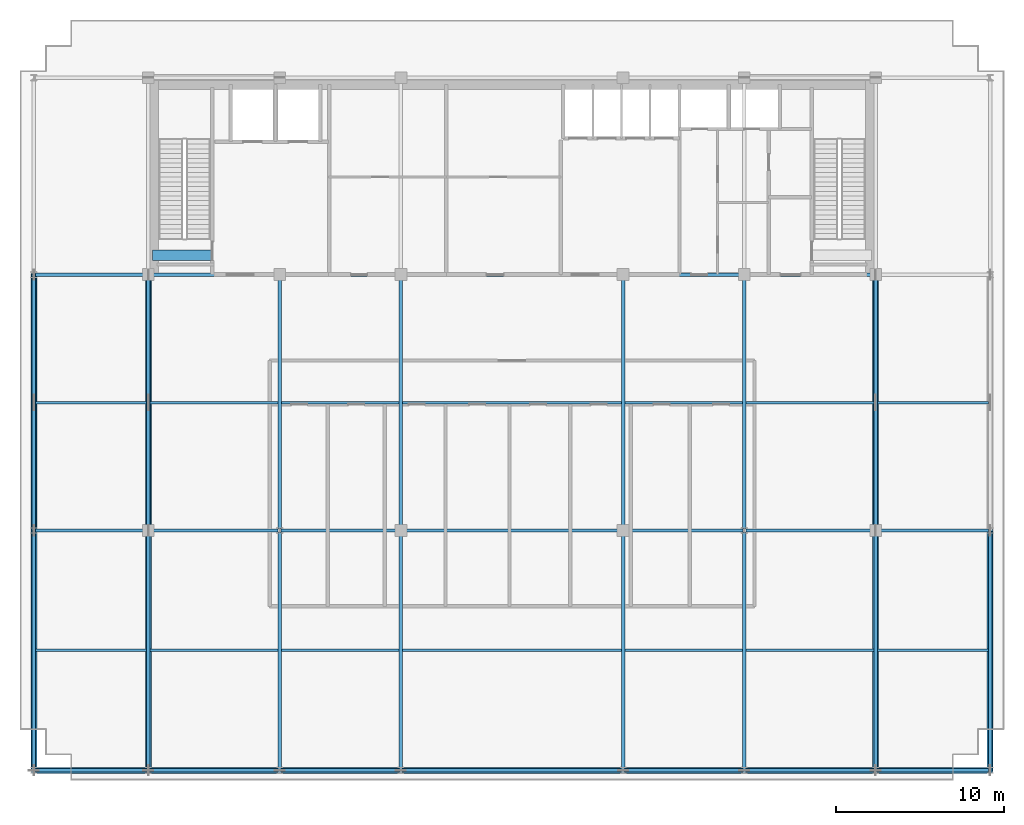
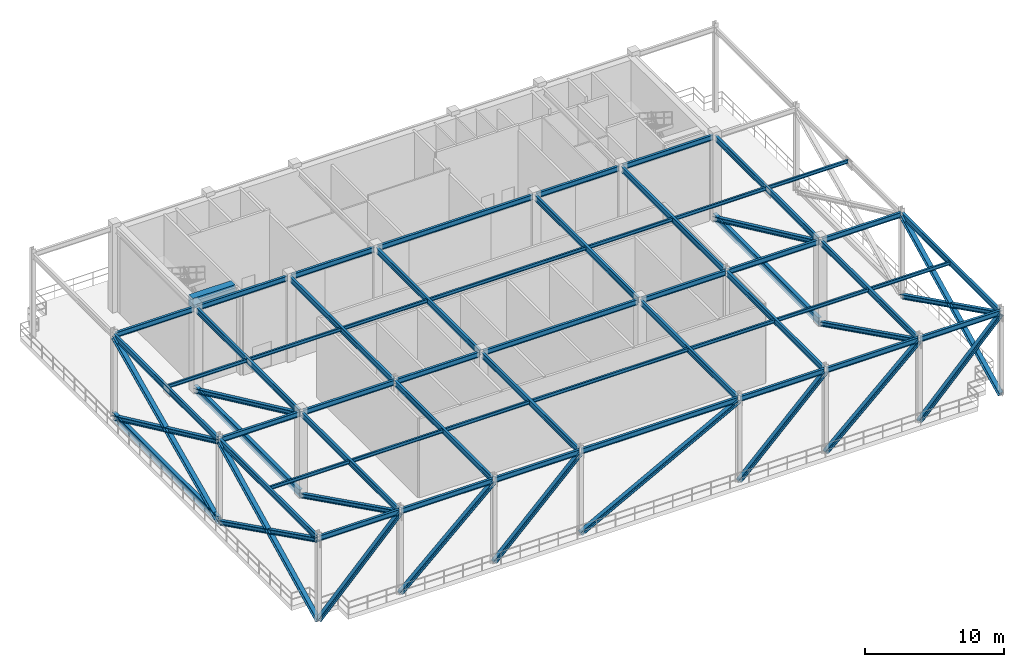
# One storey, part 5 of 15: 50 beams, 20 members.
"""IFC4 building model written with IfcOpenShell, lengths in metres."""

from ifc_helpers import new_model, si_unit, direction, frame, origin, origin_2d, place, context, subcontext, project, spatial, rectangle, i_section, extrude, source, transform, mapped, material, material_profile, profile_set, type_object, element, save


model = new_model("IFC4")

# Units and contexts
model_context = context("Model", 3, precision=1e-05, world=origin(), true_north=direction((0.0, 1.0)))
body_context = subcontext(model_context, "Body", "Model", "MODEL_VIEW")
ifc_project = project(units=[si_unit("LENGTHUNIT", "METRE"), si_unit("AREAUNIT", "SQUARE_METRE"), si_unit("VOLUMEUNIT", "CUBIC_METRE"), si_unit("PLANEANGLEUNIT", "RADIAN"), si_unit("MASSUNIT", "GRAM", prefix="KILO")], contexts=[model_context])

# Site, building, storey
site_placement = place(None, origin())
site = spatial("IfcSite", under=ifc_project, at=site_placement, CompositionType="ELEMENT")
building_placement = place(site_placement, origin())
building = spatial("IfcBuilding", under=site, at=building_placement, Name="Trelvane Seafront Commons", CompositionType="ELEMENT")
storey_placement = place(building_placement, frame((0.0, 0.0, 240.89990234375)))
storey = spatial("IfcBuildingStorey", under=building, at=storey_placement, Name="L63", CompositionType="ELEMENT", Elevation=240.89990234375)

# Beams
ifc_material_1 = material(Name="Concrete C60/75", Category="concrete")
ifc_material_profile_1 = material_profile(ifc_material_1, rectangle(XDim=0.60009765625, YDim=0.89990234375, at=origin_2d()), Name="RC-600x900")
ifc_profile_set_1 = profile_set([ifc_material_profile_1], Name="Concrete C60/75")
beam_type_1 = type_object("IfcBeamType", Name="STR-LNT-RC600x900", PredefinedType="LINTEL", material=ifc_profile_set_1)
shared_shape_1 = source(origin(), body_context, "Body", "SweptSolid", [
    extrude(rectangle(XDim=0.60009765625, YDim=0.89990234375, at=origin_2d()), origin(), (0.0, 0.0, 1.0), 3.5498046875),
])
beam_1_placement = place(storey_placement, frame((15.85009765625, 34.550048828125, 6.989990234375), z_axis=(1.0, 0.0, 0.0), x_axis=(0.0, 1.0, 0.0)))
element("IfcBeam", 1, at=beam_1_placement, inside=storey, type_object=beam_type_1, Name="L63 Core Coupling Lintel Beam CB-67", PredefinedType="LINTEL", context=body_context, shape_type="MappedRepresentation", body=[
    mapped(shared_shape_1, transform((0.0, 0.0, 0.0), x_axis=(1.0, 0.0, 0.0), y_axis=(0.0, 1.0, 0.0), z_axis=(0.0, 0.0, 1.0), scale=1.0)),
])
ifc_material_2 = material(Name="Steel SM355 (S355)", Category="steel")
ifc_material_profile_2 = material_profile(ifc_material_2, i_section(OverallWidth=0.199951171875, OverallDepth=0.5, WebThickness=0.010009765625, FlangeThickness=0.01611328125, at=origin_2d()), Name="H-500x200x10x16")
ifc_profile_set_2 = profile_set([ifc_material_profile_2], Name="Steel SM355 (S355)")
beam_type_2 = type_object("IfcBeamType", Name="STR-BM-H500", PredefinedType="BEAM", material=ifc_profile_set_2)
shared_shape_2 = source(origin(), body_context, "Body", "SweptSolid", [
    extrude(i_section(OverallWidth=0.199951171875, OverallDepth=0.5, WebThickness=0.010009765625, FlangeThickness=0.01611328125, at=origin_2d()), origin(), (0.0, 0.0, 1.0), 14.89990234375),
])
for number, where, z_axis, x_axis, name in (
    (2, (15.60009765625, 18.35009765625, 7.190185546875), (0.0, 1.0, 0.0), (-1.0, 0.0, 0.0), "L63 Primary Girder G-33"),
    (3, (30.60009765625, 18.35009765625, 7.190185546875), (0.0, 1.0, 0.0), (-1.0, 0.0, 0.0), "L63 Primary Girder G-39"),
    (4, (43.800048828125, 18.35009765625, 7.190185546875), (0.0, 1.0, 0.0), (-1.0, 0.0, 0.0), "L63 Primary Girder G-42"),
    (5, (58.800048828125, 18.35009765625, 7.190185546875), (0.0, 1.0, 0.0), (-1.0, 0.0, 0.0), "L63 Primary Girder G-48"),
):
    element("IfcBeam", number, at=place(storey_placement, frame(where, z_axis=z_axis, x_axis=x_axis)), inside=storey, type_object=beam_type_2, Name=name, PredefinedType="BEAM", context=body_context, shape_type="MappedRepresentation", body=[
        mapped(shared_shape_2, transform((0.0, 0.0, 0.0), x_axis=(1.0, 0.0, 0.0), y_axis=(0.0, 1.0, 0.0), z_axis=(0.0, 0.0, 1.0), scale=1.0)),
    ])
ifc_material_profile_3 = material_profile(ifc_material_2, i_section(OverallWidth=0.199951171875, OverallDepth=0.449951171875, WebThickness=0.009033203125, FlangeThickness=0.013916015625, at=origin_2d()), Name="H-450x200x9x14")
ifc_profile_set_3 = profile_set([ifc_material_profile_3], Name="Steel SM355 (S355)")
beam_type_3 = type_object("IfcBeamType", Name="STR-SPD-H450", PredefinedType="SPANDREL", material=ifc_profile_set_3)
shared_shape_3 = source(origin(), body_context, "Body", "SweptSolid", [
    extrude(i_section(OverallWidth=0.199951171875, OverallDepth=0.449951171875, WebThickness=0.009033203125, FlangeThickness=0.013916015625, at=origin_2d()), origin(), (0.0, 0.0, 1.0), 6.625),
])
for number, where, z_axis, x_axis, name in (
    (6, (8.887451171875, 3.949951171875, 7.215087890625), (1.0, 0.0, 0.0), (0.0, 1.0, 0.0), "L63 Primary Girder G-01"),
    (7, (58.887451171875, 3.949951171875, 7.215087890625), (1.0, 0.0, 0.0), (0.0, 1.0, 0.0), "L63 Primary Girder G-07"),
):
    element("IfcBeam", number, at=place(storey_placement, frame(where, z_axis=z_axis, x_axis=x_axis)), inside=storey, type_object=beam_type_3, Name=name, PredefinedType="SPANDREL", context=body_context, shape_type="MappedRepresentation", body=[
        mapped(shared_shape_3, transform((0.0, 0.0, 0.0), x_axis=(1.0, 0.0, 0.0), y_axis=(0.0, 1.0, 0.0), z_axis=(0.0, 0.0, 1.0), scale=1.0)),
    ])
shared_shape_4 = source(origin(), body_context, "Body", "SweptSolid", [
    extrude(i_section(OverallWidth=0.199951171875, OverallDepth=0.449951171875, WebThickness=0.009033203125, FlangeThickness=0.013916015625, at=origin_2d()), origin(), (0.0, 0.0, 1.0), 7.625),
])
for number, where, z_axis, x_axis, name in (
    (8, (15.6875, 3.949951171875, 7.215087890625), (1.0, 0.0, 0.0), (0.0, 1.0, 0.0), "L63 Primary Girder G-02"),
    (9, (51.08740234375, 3.949951171875, 7.215087890625), (1.0, 0.0, 0.0), (0.0, 1.0, 0.0), "L63 Primary Girder G-06"),
):
    element("IfcBeam", number, at=place(storey_placement, frame(where, z_axis=z_axis, x_axis=x_axis)), inside=storey, type_object=beam_type_3, Name=name, PredefinedType="SPANDREL", context=body_context, shape_type="MappedRepresentation", body=[
        mapped(shared_shape_4, transform((0.0, 0.0, 0.0), x_axis=(1.0, 0.0, 0.0), y_axis=(0.0, 1.0, 0.0), z_axis=(0.0, 0.0, 1.0), scale=1.0)),
    ])
shared_shape_5 = source(origin(), body_context, "Body", "SweptSolid", [
    extrude(i_section(OverallWidth=0.199951171875, OverallDepth=0.449951171875, WebThickness=0.009033203125, FlangeThickness=0.013916015625, at=origin_2d()), origin(), (0.0, 0.0, 1.0), 7.02490234375),
])
beam_2_placement = place(storey_placement, frame((23.487548828125, 3.949951171875, 7.215087890625), z_axis=(1.0, 0.0, 0.0), x_axis=(0.0, 1.0, 0.0)))
element("IfcBeam", 10, at=beam_2_placement, inside=storey, type_object=beam_type_3, Name="L63 Primary Girder G-03", PredefinedType="SPANDREL", context=body_context, shape_type="MappedRepresentation", body=[
    mapped(shared_shape_5, transform((0.0, 0.0, 0.0), x_axis=(1.0, 0.0, 0.0), y_axis=(0.0, 1.0, 0.0), z_axis=(0.0, 0.0, 1.0), scale=1.0)),
])
shared_shape_6 = source(origin(), body_context, "Body", "SweptSolid", [
    extrude(i_section(OverallWidth=0.199951171875, OverallDepth=0.449951171875, WebThickness=0.009033203125, FlangeThickness=0.013916015625, at=origin_2d()), origin(), (0.0, 0.0, 1.0), 7.025146484375),
])
beam_3_placement = place(storey_placement, frame((43.887451171875, 3.949951171875, 7.215087890625), z_axis=(1.0, 0.0, 0.0), x_axis=(0.0, 1.0, 0.0)))
element("IfcBeam", 11, at=beam_3_placement, inside=storey, type_object=beam_type_3, Name="L63 Primary Girder G-05", PredefinedType="SPANDREL", context=body_context, shape_type="MappedRepresentation", body=[
    mapped(shared_shape_6, transform((0.0, 0.0, 0.0), x_axis=(1.0, 0.0, 0.0), y_axis=(0.0, 1.0, 0.0), z_axis=(0.0, 0.0, 1.0), scale=1.0)),
])
shared_shape_7 = source(origin(), body_context, "Body", "SweptSolid", [
    extrude(i_section(OverallWidth=0.199951171875, OverallDepth=0.449951171875, WebThickness=0.009033203125, FlangeThickness=0.013916015625, at=origin_2d()), origin(), (0.0, 0.0, 1.0), 6.5625),
])
for number, where, z_axis, x_axis, name in (
    (12, (8.887451171875, 18.199951171875, 7.215087890625), (1.0, 0.0, 0.0), (0.0, 1.0, 0.0), "L63 Primary Girder G-08"),
    (13, (58.949951171875, 18.199951171875, 7.215087890625), (1.0, 0.0, 0.0), (0.0, 1.0, 0.0), "L63 Primary Girder G-14"),
    (14, (8.887451171875, 33.39990234375, 7.215087890625), (1.0, 0.0, 0.0), (0.0, 1.0, 0.0), "L63 Primary Girder G-15"),
):
    element("IfcBeam", number, at=place(storey_placement, frame(where, z_axis=z_axis, x_axis=x_axis)), inside=storey, type_object=beam_type_3, Name=name, PredefinedType="SPANDREL", context=body_context, shape_type="MappedRepresentation", body=[
        mapped(shared_shape_7, transform((0.0, 0.0, 0.0), x_axis=(1.0, 0.0, 0.0), y_axis=(0.0, 1.0, 0.0), z_axis=(0.0, 0.0, 1.0), scale=1.0)),
    ])
shared_shape_8 = source(origin(), body_context, "Body", "SweptSolid", [
    extrude(i_section(OverallWidth=0.199951171875, OverallDepth=0.449951171875, WebThickness=0.009033203125, FlangeThickness=0.013916015625, at=origin_2d()), origin(), (0.0, 0.0, 1.0), 7.5625),
])
for number, where, z_axis, x_axis, name in (
    (15, (15.75, 18.199951171875, 7.215087890625), (1.0, 0.0, 0.0), (0.0, 1.0, 0.0), "L63 Primary Girder G-09"),
    (16, (51.08740234375, 18.199951171875, 7.215087890625), (1.0, 0.0, 0.0), (0.0, 1.0, 0.0), "L63 Primary Girder G-13"),
):
    element("IfcBeam", number, at=place(storey_placement, frame(where, z_axis=z_axis, x_axis=x_axis)), inside=storey, type_object=beam_type_3, Name=name, PredefinedType="SPANDREL", context=body_context, shape_type="MappedRepresentation", body=[
        mapped(shared_shape_8, transform((0.0, 0.0, 0.0), x_axis=(1.0, 0.0, 0.0), y_axis=(0.0, 1.0, 0.0), z_axis=(0.0, 0.0, 1.0), scale=1.0)),
    ])
shared_shape_9 = source(origin(), body_context, "Body", "SweptSolid", [
    extrude(i_section(OverallWidth=0.199951171875, OverallDepth=0.449951171875, WebThickness=0.009033203125, FlangeThickness=0.013916015625, at=origin_2d()), origin(), (0.0, 0.0, 1.0), 6.96240234375),
])
beam_4_placement = place(storey_placement, frame((23.487548828125, 18.199951171875, 7.215087890625), z_axis=(1.0, 0.0, 0.0), x_axis=(0.0, 1.0, 0.0)))
element("IfcBeam", 17, at=beam_4_placement, inside=storey, type_object=beam_type_3, Name="L63 Primary Girder G-10", PredefinedType="SPANDREL", context=body_context, shape_type="MappedRepresentation", body=[
    mapped(shared_shape_9, transform((0.0, 0.0, 0.0), x_axis=(1.0, 0.0, 0.0), y_axis=(0.0, 1.0, 0.0), z_axis=(0.0, 0.0, 1.0), scale=1.0)),
])
shared_shape_10 = source(origin(), body_context, "Body", "SweptSolid", [
    extrude(i_section(OverallWidth=0.199951171875, OverallDepth=0.449951171875, WebThickness=0.009033203125, FlangeThickness=0.013916015625, at=origin_2d()), origin(), (0.0, 0.0, 1.0), 6.962646484375),
])
beam_5_placement = place(storey_placement, frame((43.949951171875, 18.199951171875, 7.215087890625), z_axis=(1.0, 0.0, 0.0), x_axis=(0.0, 1.0, 0.0)))
element("IfcBeam", 18, at=beam_5_placement, inside=storey, type_object=beam_type_3, Name="L63 Primary Girder G-12", PredefinedType="SPANDREL", context=body_context, shape_type="MappedRepresentation", body=[
    mapped(shared_shape_10, transform((0.0, 0.0, 0.0), x_axis=(1.0, 0.0, 0.0), y_axis=(0.0, 1.0, 0.0), z_axis=(0.0, 0.0, 1.0), scale=1.0)),
])
shared_shape_11 = source(origin(), body_context, "Body", "SweptSolid", [
    extrude(i_section(OverallWidth=0.199951171875, OverallDepth=0.449951171875, WebThickness=0.009033203125, FlangeThickness=0.013916015625, at=origin_2d()), origin(), (0.0, 0.0, 1.0), 7.5),
])
for number, where, z_axis, x_axis, name in (
    (19, (15.75, 33.39990234375, 7.215087890625), (1.0, 0.0, 0.0), (0.0, 1.0, 0.0), "L63 Primary Girder G-16"),
    (20, (51.14990234375, 33.39990234375, 7.215087890625), (1.0, 0.0, 0.0), (0.0, 1.0, 0.0), "L63 Primary Girder G-20"),
):
    element("IfcBeam", number, at=place(storey_placement, frame(where, z_axis=z_axis, x_axis=x_axis)), inside=storey, type_object=beam_type_3, Name=name, PredefinedType="SPANDREL", context=body_context, shape_type="MappedRepresentation", body=[
        mapped(shared_shape_11, transform((0.0, 0.0, 0.0), x_axis=(1.0, 0.0, 0.0), y_axis=(0.0, 1.0, 0.0), z_axis=(0.0, 0.0, 1.0), scale=1.0)),
    ])
shared_shape_12 = source(origin(), body_context, "Body", "SweptSolid", [
    extrude(i_section(OverallWidth=0.199951171875, OverallDepth=0.449951171875, WebThickness=0.009033203125, FlangeThickness=0.013916015625, at=origin_2d()), origin(), (0.0, 0.0, 1.0), 6.89990234375),
])
beam_6_placement = place(storey_placement, frame((23.550048828125, 33.39990234375, 7.215087890625), z_axis=(1.0, 0.0, 0.0), x_axis=(0.0, 1.0, 0.0)))
element("IfcBeam", 21, at=beam_6_placement, inside=storey, type_object=beam_type_3, Name="L63 Primary Girder G-17", PredefinedType="SPANDREL", context=body_context, shape_type="MappedRepresentation", body=[
    mapped(shared_shape_12, transform((0.0, 0.0, 0.0), x_axis=(1.0, 0.0, 0.0), y_axis=(0.0, 1.0, 0.0), z_axis=(0.0, 0.0, 1.0), scale=1.0)),
])
shared_shape_13 = source(origin(), body_context, "Body", "SweptSolid", [
    extrude(i_section(OverallWidth=0.199951171875, OverallDepth=0.449951171875, WebThickness=0.009033203125, FlangeThickness=0.013916015625, at=origin_2d()), origin(), (0.0, 0.0, 1.0), 12.89990234375),
])
for number, where, z_axis, x_axis, name in (
    (22, (30.75, 18.199951171875, 7.215087890625), (1.0, 0.0, 0.0), (0.0, 1.0, 0.0), "L63 Primary Girder G-11"),
    (23, (30.75, 33.39990234375, 7.215087890625), (1.0, 0.0, 0.0), (0.0, 1.0, 0.0), "L63 Primary Girder G-18"),
):
    element("IfcBeam", number, at=place(storey_placement, frame(where, z_axis=z_axis, x_axis=x_axis)), inside=storey, type_object=beam_type_3, Name=name, PredefinedType="SPANDREL", context=body_context, shape_type="MappedRepresentation", body=[
        mapped(shared_shape_13, transform((0.0, 0.0, 0.0), x_axis=(1.0, 0.0, 0.0), y_axis=(0.0, 1.0, 0.0), z_axis=(0.0, 0.0, 1.0), scale=1.0)),
    ])
shared_shape_14 = source(origin(), body_context, "Body", "SweptSolid", [
    extrude(i_section(OverallWidth=0.199951171875, OverallDepth=0.449951171875, WebThickness=0.009033203125, FlangeThickness=0.013916015625, at=origin_2d()), origin(), (0.0, 0.0, 1.0), 6.900146484375),
])
beam_7_placement = place(storey_placement, frame((43.949951171875, 33.39990234375, 7.215087890625), z_axis=(1.0, 0.0, 0.0), x_axis=(0.0, 1.0, 0.0)))
element("IfcBeam", 24, at=beam_7_placement, inside=storey, type_object=beam_type_3, Name="L63 Primary Girder G-19", PredefinedType="SPANDREL", context=body_context, shape_type="MappedRepresentation", body=[
    mapped(shared_shape_14, transform((0.0, 0.0, 0.0), x_axis=(1.0, 0.0, 0.0), y_axis=(0.0, 1.0, 0.0), z_axis=(0.0, 0.0, 1.0), scale=1.0)),
])
shared_shape_15 = source(origin(), body_context, "Body", "SweptSolid", [
    extrude(i_section(OverallWidth=0.199951171875, OverallDepth=0.5, WebThickness=0.010009765625, FlangeThickness=0.01611328125, at=origin_2d()), origin(), (0.0, 0.0, 1.0), 14.074951171875),
])
for number, where, z_axis, x_axis, name in (
    (25, (8.800048828125, 4.03759765625, 7.190185546875), (0.0, 1.0, 0.0), (-1.0, 0.0, 0.0), "L63 Primary Girder G-29"),
    (26, (23.39990234375, 4.03759765625, 7.190185546875), (0.0, 1.0, 0.0), (-1.0, 0.0, 0.0), "L63 Primary Girder G-35"),
    (27, (51.0, 4.03759765625, 7.190185546875), (0.0, 1.0, 0.0), (-1.0, 0.0, 0.0), "L63 Primary Girder G-44"),
    (28, (65.60009765625, 4.03759765625, 7.190185546875), (0.0, 1.0, 0.0), (-1.0, 0.0, 0.0), "L63 Primary Girder G-50"),
):
    element("IfcBeam", number, at=place(storey_placement, frame(where, z_axis=z_axis, x_axis=x_axis)), inside=storey, type_object=beam_type_2, Name=name, PredefinedType="BEAM", context=body_context, shape_type="MappedRepresentation", body=[
        mapped(shared_shape_15, transform((0.0, 0.0, 0.0), x_axis=(1.0, 0.0, 0.0), y_axis=(0.0, 1.0, 0.0), z_axis=(0.0, 0.0, 1.0), scale=1.0)),
    ])
shared_shape_16 = source(origin(), body_context, "Body", "SweptSolid", [
    extrude(i_section(OverallWidth=0.199951171875, OverallDepth=0.5, WebThickness=0.010009765625, FlangeThickness=0.01611328125, at=origin_2d()), origin(), (0.0, 0.0, 1.0), 15.02490234375),
])
beam_8_placement = place(storey_placement, frame((8.800048828125, 18.28759765625, 7.190185546875), z_axis=(0.0, 1.0, 0.0), x_axis=(-1.0, 0.0, 0.0)))
element("IfcBeam", 29, at=beam_8_placement, inside=storey, type_object=beam_type_2, Name="L63 Primary Girder G-30", PredefinedType="BEAM", context=body_context, shape_type="MappedRepresentation", body=[
    mapped(shared_shape_16, transform((0.0, 0.0, 0.0), x_axis=(1.0, 0.0, 0.0), y_axis=(0.0, 1.0, 0.0), z_axis=(0.0, 0.0, 1.0), scale=1.0)),
])
shared_shape_17 = source(origin(), body_context, "Body", "SweptSolid", [
    extrude(i_section(OverallWidth=0.199951171875, OverallDepth=0.5, WebThickness=0.010009765625, FlangeThickness=0.01611328125, at=origin_2d()), origin(), (0.0, 0.0, 1.0), 14.012451171875),
])
for number, where, z_axis, x_axis, name in (
    (30, (15.60009765625, 4.03759765625, 7.190185546875), (0.0, 1.0, 0.0), (-1.0, 0.0, 0.0), "L63 Primary Girder G-32"),
    (31, (30.60009765625, 4.03759765625, 7.190185546875), (0.0, 1.0, 0.0), (-1.0, 0.0, 0.0), "L63 Primary Girder G-38"),
    (32, (43.800048828125, 4.03759765625, 7.190185546875), (0.0, 1.0, 0.0), (-1.0, 0.0, 0.0), "L63 Primary Girder G-41"),
    (33, (58.800048828125, 4.03759765625, 7.190185546875), (0.0, 1.0, 0.0), (-1.0, 0.0, 0.0), "L63 Primary Girder G-47"),
):
    element("IfcBeam", number, at=place(storey_placement, frame(where, z_axis=z_axis, x_axis=x_axis)), inside=storey, type_object=beam_type_2, Name=name, PredefinedType="BEAM", context=body_context, shape_type="MappedRepresentation", body=[
        mapped(shared_shape_17, transform((0.0, 0.0, 0.0), x_axis=(1.0, 0.0, 0.0), y_axis=(0.0, 1.0, 0.0), z_axis=(0.0, 0.0, 1.0), scale=1.0)),
    ])
shared_shape_18 = source(origin(), body_context, "Body", "SweptSolid", [
    extrude(i_section(OverallWidth=0.199951171875, OverallDepth=0.5, WebThickness=0.010009765625, FlangeThickness=0.01611328125, at=origin_2d()), origin(), (0.0, 0.0, 1.0), 14.96240234375),
])
for number, where, z_axis, x_axis, name in (
    (34, (23.39990234375, 18.28759765625, 7.190185546875), (0.0, 1.0, 0.0), (-1.0, 0.0, 0.0), "L63 Primary Girder G-36"),
    (35, (51.0, 18.28759765625, 7.190185546875), (0.0, 1.0, 0.0), (-1.0, 0.0, 0.0), "L63 Primary Girder G-45"),
):
    element("IfcBeam", number, at=place(storey_placement, frame(where, z_axis=z_axis, x_axis=x_axis)), inside=storey, type_object=beam_type_2, Name=name, PredefinedType="BEAM", context=body_context, shape_type="MappedRepresentation", body=[
        mapped(shared_shape_18, transform((0.0, 0.0, 0.0), x_axis=(1.0, 0.0, 0.0), y_axis=(0.0, 1.0, 0.0), z_axis=(0.0, 0.0, 1.0), scale=1.0)),
    ])
ifc_material_profile_4 = material_profile(ifc_material_2, i_section(OverallWidth=0.14990234375, OverallDepth=0.300048828125, WebThickness=0.006591796875, FlangeThickness=0.009033203125, at=origin_2d()), Name="H-300x150x6.5x9")
ifc_profile_set_4 = profile_set([ifc_material_profile_4], Name="Steel SM355 (S355)")
beam_type_4 = type_object("IfcBeamType", Name="STR-JST-H300", PredefinedType="JOIST", material=ifc_profile_set_4)
shared_shape_19 = source(origin(), body_context, "Body", "SweptSolid", [
    extrude(i_section(OverallWidth=0.14990234375, OverallDepth=0.300048828125, WebThickness=0.006591796875, FlangeThickness=0.009033203125, at=origin_2d()), origin(), (0.0, 0.0, 1.0), 6.60009765625),
])
for number, where, z_axis, x_axis, name in (
    (36, (8.89990234375, 11.074951171875, 7.2900390625), (1.0, 0.0, 0.0), (0.0, 1.0, 0.0), "L63 Secondary Floor Joist B-53"),
    (37, (58.89990234375, 11.074951171875, 7.2900390625), (1.0, 0.0, 0.0), (0.0, 1.0, 0.0), "L63 Secondary Floor Joist B-59"),
    (38, (8.89990234375, 25.800048828125, 7.2900390625), (1.0, 0.0, 0.0), (0.0, 1.0, 0.0), "L63 Secondary Floor Joist B-60"),
    (39, (58.89990234375, 25.800048828125, 7.2900390625), (1.0, 0.0, 0.0), (0.0, 1.0, 0.0), "L63 Secondary Floor Joist B-66"),
):
    element("IfcBeam", number, at=place(storey_placement, frame(where, z_axis=z_axis, x_axis=x_axis)), inside=storey, type_object=beam_type_4, Name=name, PredefinedType="JOIST", context=body_context, shape_type="MappedRepresentation", body=[
        mapped(shared_shape_19, transform((0.0, 0.0, 0.0), x_axis=(1.0, 0.0, 0.0), y_axis=(0.0, 1.0, 0.0), z_axis=(0.0, 0.0, 1.0), scale=1.0)),
    ])
shared_shape_20 = source(origin(), body_context, "Body", "SweptSolid", [
    extrude(i_section(OverallWidth=0.14990234375, OverallDepth=0.300048828125, WebThickness=0.006591796875, FlangeThickness=0.009033203125, at=origin_2d()), origin(), (0.0, 0.0, 1.0), 7.60009765625),
])
for number, where, z_axis, x_axis, name in (
    (40, (15.699951171875, 11.074951171875, 7.2900390625), (1.0, 0.0, 0.0), (0.0, 1.0, 0.0), "L63 Secondary Floor Joist B-54"),
    (41, (15.699951171875, 25.800048828125, 7.2900390625), (1.0, 0.0, 0.0), (0.0, 1.0, 0.0), "L63 Secondary Floor Joist B-61"),
):
    element("IfcBeam", number, at=place(storey_placement, frame(where, z_axis=z_axis, x_axis=x_axis)), inside=storey, type_object=beam_type_4, Name=name, PredefinedType="JOIST", context=body_context, shape_type="MappedRepresentation", body=[
        mapped(shared_shape_20, transform((0.0, 0.0, 0.0), x_axis=(1.0, 0.0, 0.0), y_axis=(0.0, 1.0, 0.0), z_axis=(0.0, 0.0, 1.0), scale=1.0)),
    ])
shared_shape_21 = source(origin(), body_context, "Body", "SweptSolid", [
    extrude(i_section(OverallWidth=0.14990234375, OverallDepth=0.300048828125, WebThickness=0.006591796875, FlangeThickness=0.009033203125, at=origin_2d()), origin(), (0.0, 0.0, 1.0), 7.0),
])
for number, where, z_axis, x_axis, name in (
    (42, (23.5, 11.074951171875, 7.2900390625), (1.0, 0.0, 0.0), (0.0, 1.0, 0.0), "L63 Secondary Floor Joist B-55"),
    (43, (43.89990234375, 11.074951171875, 7.2900390625), (1.0, 0.0, 0.0), (0.0, 1.0, 0.0), "L63 Secondary Floor Joist B-57"),
    (44, (23.5, 25.800048828125, 7.2900390625), (1.0, 0.0, 0.0), (0.0, 1.0, 0.0), "L63 Secondary Floor Joist B-62"),
    (45, (43.89990234375, 25.800048828125, 7.2900390625), (1.0, 0.0, 0.0), (0.0, 1.0, 0.0), "L63 Secondary Floor Joist B-64"),
):
    element("IfcBeam", number, at=place(storey_placement, frame(where, z_axis=z_axis, x_axis=x_axis)), inside=storey, type_object=beam_type_4, Name=name, PredefinedType="JOIST", context=body_context, shape_type="MappedRepresentation", body=[
        mapped(shared_shape_21, transform((0.0, 0.0, 0.0), x_axis=(1.0, 0.0, 0.0), y_axis=(0.0, 1.0, 0.0), z_axis=(0.0, 0.0, 1.0), scale=1.0)),
    ])
shared_shape_22 = source(origin(), body_context, "Body", "SweptSolid", [
    extrude(i_section(OverallWidth=0.14990234375, OverallDepth=0.300048828125, WebThickness=0.006591796875, FlangeThickness=0.009033203125, at=origin_2d()), origin(), (0.0, 0.0, 1.0), 7.599853515625),
])
for number, where, z_axis, x_axis, name in (
    (46, (51.10009765625, 11.074951171875, 7.2900390625), (1.0, 0.0, 0.0), (0.0, 1.0, 0.0), "L63 Secondary Floor Joist B-58"),
    (47, (51.10009765625, 25.800048828125, 7.2900390625), (1.0, 0.0, 0.0), (0.0, 1.0, 0.0), "L63 Secondary Floor Joist B-65"),
):
    element("IfcBeam", number, at=place(storey_placement, frame(where, z_axis=z_axis, x_axis=x_axis)), inside=storey, type_object=beam_type_4, Name=name, PredefinedType="JOIST", context=body_context, shape_type="MappedRepresentation", body=[
        mapped(shared_shape_22, transform((0.0, 0.0, 0.0), x_axis=(1.0, 0.0, 0.0), y_axis=(0.0, 1.0, 0.0), z_axis=(0.0, 0.0, 1.0), scale=1.0)),
    ])
shared_shape_23 = source(origin(), body_context, "Body", "SweptSolid", [
    extrude(i_section(OverallWidth=0.14990234375, OverallDepth=0.300048828125, WebThickness=0.006591796875, FlangeThickness=0.009033203125, at=origin_2d()), origin(), (0.0, 0.0, 1.0), 13.0),
])
for number, where, z_axis, x_axis, name in (
    (48, (30.699951171875, 11.074951171875, 7.2900390625), (1.0, 0.0, 0.0), (0.0, 1.0, 0.0), "L63 Secondary Floor Joist B-56"),
    (49, (30.699951171875, 25.800048828125, 7.2900390625), (1.0, 0.0, 0.0), (0.0, 1.0, 0.0), "L63 Secondary Floor Joist B-63"),
):
    element("IfcBeam", number, at=place(storey_placement, frame(where, z_axis=z_axis, x_axis=x_axis)), inside=storey, type_object=beam_type_4, Name=name, PredefinedType="JOIST", context=body_context, shape_type="MappedRepresentation", body=[
        mapped(shared_shape_23, transform((0.0, 0.0, 0.0), x_axis=(1.0, 0.0, 0.0), y_axis=(0.0, 1.0, 0.0), z_axis=(0.0, 0.0, 1.0), scale=1.0)),
    ])
shared_shape_24 = source(origin(), body_context, "Body", "SweptSolid", [
    extrude(i_section(OverallWidth=0.199951171875, OverallDepth=0.449951171875, WebThickness=0.009033203125, FlangeThickness=0.013916015625, at=origin_2d()), origin(), (0.0, 0.0, 1.0), 13.02490234375),
])
beam_9_placement = place(storey_placement, frame((30.6875, 3.949951171875, 7.215087890625), z_axis=(1.0, 0.0, 0.0), x_axis=(0.0, 1.0, 0.0)))
element("IfcBeam", 50, at=beam_9_placement, inside=storey, type_object=beam_type_3, Name="L63 Primary Girder G-04", PredefinedType="SPANDREL", context=body_context, shape_type="MappedRepresentation", body=[
    mapped(shared_shape_24, transform((0.0, 0.0, 0.0), x_axis=(1.0, 0.0, 0.0), y_axis=(0.0, 1.0, 0.0), z_axis=(0.0, 0.0, 1.0), scale=1.0)),
])

# Members
ifc_material_profile_5 = material_profile(ifc_material_2, i_section(OverallWidth=0.280029296875, OverallDepth=0.64990234375, WebThickness=0.012939453125, FlangeThickness=0.02197265625, at=origin_2d()), Name="H-650x280x13x22")
ifc_profile_set_5 = profile_set([ifc_material_profile_5], Name="Steel SM355 (S355)")
member_type_1 = type_object("IfcMemberType", Name="STR-CHD-H650", PredefinedType="CHORD", material=ifc_profile_set_5)
shared_shape_25 = source(origin(), body_context, "Body", "SweptSolid", [
    extrude(i_section(OverallWidth=0.280029296875, OverallDepth=0.64990234375, WebThickness=0.012939453125, FlangeThickness=0.02197265625, at=origin_2d()), origin(), (0.0, 0.0, 1.0), 15.199951171875),
])
for number, where, z_axis, x_axis, name in (
    (51, (8.800048828125, 18.199951171875, 0.16015625), (0.0, 1.0, 0.0), (-1.0, 0.0, 0.0), "L63 Outrigger Bottom Chord CH-1"),
    (52, (15.60009765625, 18.199951171875, 0.16015625), (0.0, 1.0, 0.0), (-1.0, 0.0, 0.0), "L63 Outrigger Bottom Chord CH-2"),
    (53, (58.800048828125, 18.199951171875, 0.16015625), (0.0, 1.0, 0.0), (-1.0, 0.0, 0.0), "L63 Outrigger Bottom Chord CH-3"),
):
    element("IfcMember", number, at=place(storey_placement, frame(where, z_axis=z_axis, x_axis=x_axis)), inside=storey, type_object=member_type_1, Name=name, PredefinedType="CHORD", context=body_context, shape_type="MappedRepresentation", body=[
        mapped(shared_shape_25, transform((0.0, 0.0, 0.0), x_axis=(1.0, 0.0, 0.0), y_axis=(0.0, 1.0, 0.0), z_axis=(0.0, 0.0, 1.0), scale=1.0)),
    ])
ifc_material_profile_6 = material_profile(ifc_material_2, i_section(OverallWidth=0.35009765625, OverallDepth=0.35009765625, WebThickness=0.01806640625, FlangeThickness=0.028076171875, at=origin_2d()), Name="HD-350x350x18x28")
ifc_profile_set_6 = profile_set([ifc_material_profile_6], Name="Steel SM355 (S355)")
member_type_2 = type_object("IfcMemberType", Name="STR-BRC-HD350", PredefinedType="BRACE", material=ifc_profile_set_6)
shared_shape_26 = source(origin(), body_context, "Body", "SweptSolid", [
    extrude(i_section(OverallWidth=0.35009765625, OverallDepth=0.35009765625, WebThickness=0.01806640625, FlangeThickness=0.028076171875, at=origin_2d()), origin(), (0.0, 0.0, 1.0), 16.772216796875),
])
for number, where, z_axis, x_axis, name in (
    (54, (8.800048828125, 33.39990234375, 0.0), (0.0, -0.906256757443, 0.422727677812), (1.0, 0.0, 0.0), "L63 Outrigger Truss Diagonal OB-1A"),
    (55, (15.60009765625, 33.39990234375, 0.0), (0.0, -0.906256757443, 0.422727677812), (1.0, 0.0, 0.0), "L63 Outrigger Truss Diagonal OB-2A"),
    (56, (58.800048828125, 33.39990234375, 0.0), (0.0, -0.906256757443, 0.422727677812), (1.0, 0.0, 0.0), "L63 Outrigger Truss Diagonal OB-3A"),
    (57, (8.800048828125, 18.199951171875, 0.0), (0.0, 0.906256757443, 0.422727677812), (-1.0, 0.0, 0.0), "L63 Flank Belt Truss Brace BTE-2"),
):
    element("IfcMember", number, at=place(storey_placement, frame(where, z_axis=z_axis, x_axis=x_axis)), inside=storey, type_object=member_type_2, Name=name, PredefinedType="BRACE", context=body_context, shape_type="MappedRepresentation", body=[
        mapped(shared_shape_26, transform((0.0, 0.0, 0.0), x_axis=(1.0, 0.0, 0.0), y_axis=(0.0, 1.0, 0.0), z_axis=(0.0, 0.0, 1.0), scale=1.0)),
    ])
shared_shape_27 = source(origin(), body_context, "Body", "SweptSolid", [
    extrude(i_section(OverallWidth=0.35009765625, OverallDepth=0.35009765625, WebThickness=0.01806640625, FlangeThickness=0.028076171875, at=origin_2d()), origin(), (0.0, 0.0, 1.0), 15.91650390625),
])
for number, where, z_axis, x_axis, name in (
    (58, (8.800048828125, 18.199951171875, 0.0), (0.0, -0.895302856638, 0.445457960863), (1.0, 0.0, 0.0), "L63 Outrigger Truss Diagonal OB-1B"),
    (59, (15.60009765625, 18.199951171875, 0.0), (0.0, -0.895302856638, 0.445457960863), (1.0, 0.0, 0.0), "L63 Outrigger Truss Diagonal OB-2B"),
    (60, (58.800048828125, 18.199951171875, 0.0), (0.0, -0.895302856638, 0.445457960863), (1.0, 0.0, 0.0), "L63 Outrigger Truss Diagonal OB-3B"),
    (61, (65.60009765625, 18.199951171875, 0.0), (0.0, -0.895302856638, 0.445457960863), (1.0, 0.0, 0.0), "L63 Outrigger Truss Diagonal OB-4B"),
    (62, (8.800048828125, 3.949951171875, 0.0), (0.0, 0.895302856638, 0.445457960863), (-1.0, 0.0, 0.0), "L63 Flank Belt Truss Brace BTE-1"),
    (63, (65.60009765625, 3.949951171875, 0.0), (0.0, 0.895302856638, 0.445457960863), (-1.0, 0.0, 0.0), "L63 Flank Belt Truss Brace BTE-3"),
):
    element("IfcMember", number, at=place(storey_placement, frame(where, z_axis=z_axis, x_axis=x_axis)), inside=storey, type_object=member_type_2, Name=name, PredefinedType="BRACE", context=body_context, shape_type="MappedRepresentation", body=[
        mapped(shared_shape_27, transform((0.0, 0.0, 0.0), x_axis=(1.0, 0.0, 0.0), y_axis=(0.0, 1.0, 0.0), z_axis=(0.0, 0.0, 1.0), scale=1.0)),
    ])
shared_shape_28 = source(origin(), body_context, "Body", "SweptSolid", [
    extrude(i_section(OverallWidth=0.35009765625, OverallDepth=0.35009765625, WebThickness=0.01806640625, FlangeThickness=0.028076171875, at=origin_2d()), origin(), (0.0, 0.0, 1.0), 9.823974609375),
])
for number, where, z_axis, x_axis, name in (
    (64, (8.800048828125, 3.949951171875, 0.0), (0.692190843571, 0.0, 0.721714511477), (0.0, 1.0, 0.0), "L63 Perimeter Belt Truss Brace BT-1D"),
    (65, (58.800048828125, 3.949951171875, 0.0), (0.692190843571, 0.0, 0.721714511477), (0.0, 1.0, 0.0), "L63 Perimeter Belt Truss Brace BT-7D"),
):
    element("IfcMember", number, at=place(storey_placement, frame(where, z_axis=z_axis, x_axis=x_axis)), inside=storey, type_object=member_type_2, Name=name, PredefinedType="BRACE", context=body_context, shape_type="MappedRepresentation", body=[
        mapped(shared_shape_28, transform((0.0, 0.0, 0.0), x_axis=(1.0, 0.0, 0.0), y_axis=(0.0, 1.0, 0.0), z_axis=(0.0, 0.0, 1.0), scale=1.0)),
    ])
shared_shape_29 = source(origin(), body_context, "Body", "SweptSolid", [
    extrude(i_section(OverallWidth=0.35009765625, OverallDepth=0.35009765625, WebThickness=0.01806640625, FlangeThickness=0.028076171875, at=origin_2d()), origin(), (0.0, 0.0, 1.0), 10.540771484375),
])
for number, where, z_axis, x_axis, name in (
    (66, (15.60009765625, 3.949951171875, 0.0), (0.739970465841, 0.0, 0.672639360789), (0.0, 1.0, 0.0), "L63 Perimeter Belt Truss Brace BT-2D"),
    (67, (51.0, 3.949951171875, 0.0), (0.739980944944, 0.0, 0.672627832549), (0.0, 1.0, 0.0), "L63 Perimeter Belt Truss Brace BT-6D"),
):
    element("IfcMember", number, at=place(storey_placement, frame(where, z_axis=z_axis, x_axis=x_axis)), inside=storey, type_object=member_type_2, Name=name, PredefinedType="BRACE", context=body_context, shape_type="MappedRepresentation", body=[
        mapped(shared_shape_29, transform((0.0, 0.0, 0.0), x_axis=(1.0, 0.0, 0.0), y_axis=(0.0, 1.0, 0.0), z_axis=(0.0, 0.0, 1.0), scale=1.0)),
    ])
shared_shape_30 = source(origin(), body_context, "Body", "SweptSolid", [
    extrude(i_section(OverallWidth=0.35009765625, OverallDepth=0.35009765625, WebThickness=0.01806640625, FlangeThickness=0.028076171875, at=origin_2d()), origin(), (0.0, 0.0, 1.0), 10.10498046875),
])
for number, where, z_axis, x_axis, name in (
    (68, (23.39990234375, 3.949951171875, 0.0), (0.712533927517, 0.0, 0.701637657297), (0.0, 1.0, 0.0), "L63 Perimeter Belt Truss Brace BT-3D"),
    (69, (43.800048828125, 3.949951171875, 0.0), (0.712522033232, 0.0, 0.701649736092), (0.0, 1.0, 0.0), "L63 Perimeter Belt Truss Brace BT-5D"),
):
    element("IfcMember", number, at=place(storey_placement, frame(where, z_axis=z_axis, x_axis=x_axis)), inside=storey, type_object=member_type_2, Name=name, PredefinedType="BRACE", context=body_context, shape_type="MappedRepresentation", body=[
        mapped(shared_shape_30, transform((0.0, 0.0, 0.0), x_axis=(1.0, 0.0, 0.0), y_axis=(0.0, 1.0, 0.0), z_axis=(0.0, 0.0, 1.0), scale=1.0)),
    ])
shared_shape_31 = source(origin(), body_context, "Body", "SweptSolid", [
    extrude(i_section(OverallWidth=0.35009765625, OverallDepth=0.35009765625, WebThickness=0.01806640625, FlangeThickness=0.028076171875, at=origin_2d()), origin(), (0.0, 0.0, 1.0), 14.983642578125),
])
member_placement = place(storey_placement, frame((30.60009765625, 3.949951171875, 0.0), z_axis=(0.880960343042, 0.0, 0.473190103433), x_axis=(0.0, 1.0, 0.0)))
element("IfcMember", 70, at=member_placement, inside=storey, type_object=member_type_2, Name="L63 Perimeter Belt Truss Brace BT-4D", PredefinedType="BRACE", context=body_context, shape_type="MappedRepresentation", body=[
    mapped(shared_shape_31, transform((0.0, 0.0, 0.0), x_axis=(1.0, 0.0, 0.0), y_axis=(0.0, 1.0, 0.0), z_axis=(0.0, 0.0, 1.0), scale=1.0)),
])

save(model, "model.ifc")
